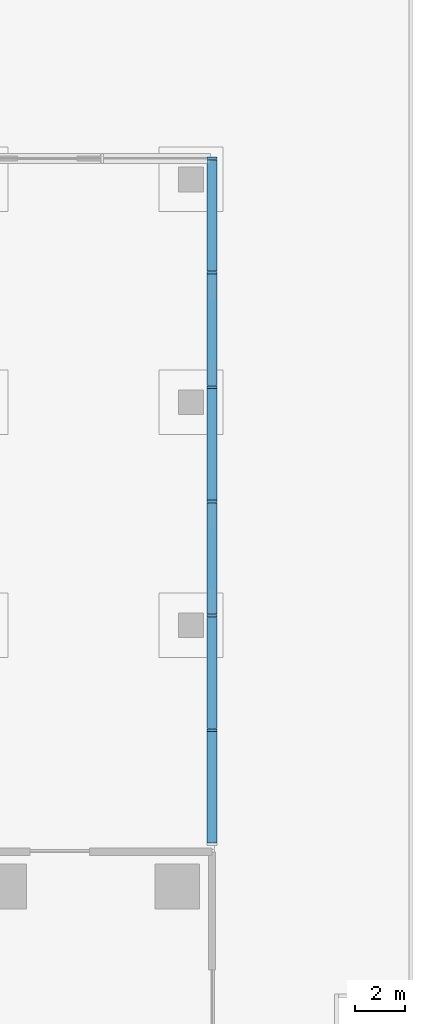
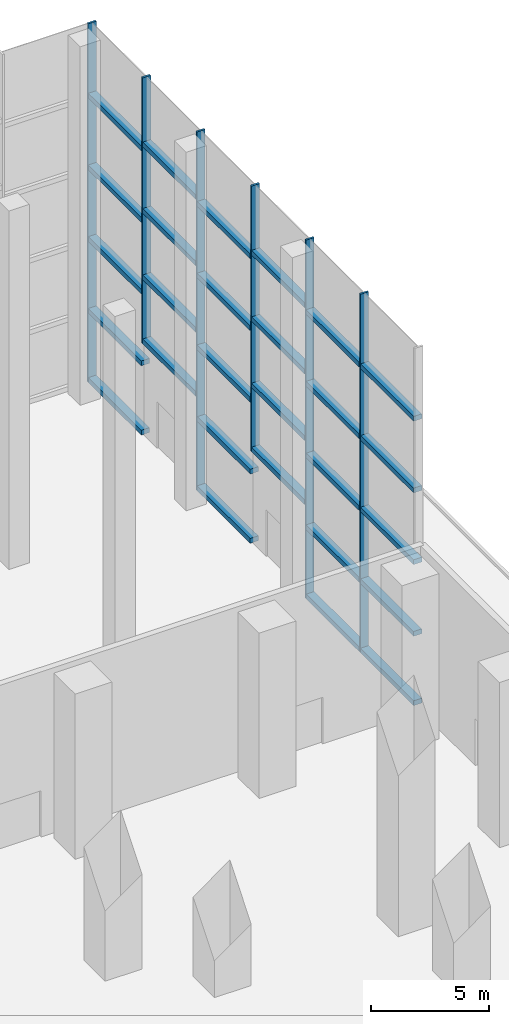
# One storey, part 20 of 40: 34 members, 5 elements without a shape of their own.
"""IFC4 building model written with IfcOpenShell, lengths in metres."""

from ifc_helpers import new_model, si_unit, direction, frame, origin, origin_2d, place, context, subcontext, project, spatial, rectangle, extrude, material, layer, layer_set, material_profile, profile_set, type_object, element, aggregate, save


model = new_model("IFC4")

# Units and contexts
model_context = context("Model", 3, precision=1e-05, world=origin(), true_north=direction((0.0, 1.0)))
body_context = subcontext(model_context, "Body", "Model", "MODEL_VIEW")
ifc_project = project(units=[si_unit("LENGTHUNIT", "METRE"), si_unit("AREAUNIT", "SQUARE_METRE"), si_unit("VOLUMEUNIT", "CUBIC_METRE"), si_unit("PLANEANGLEUNIT", "RADIAN"), si_unit("MASSUNIT", "GRAM", prefix="KILO")], contexts=[model_context])

# Site, building, storey
site_placement = place(None, origin())
site = spatial("IfcSite", under=ifc_project, at=site_placement, CompositionType="ELEMENT")
building_placement = place(site_placement, origin())
building = spatial("IfcBuilding", under=site, at=building_placement, Name="Dongbaek Canopy Tower", CompositionType="ELEMENT")
storey_placement = place(building_placement, origin())
storey = spatial("IfcBuildingStorey", under=building, at=storey_placement, Name="L00", CompositionType="ELEMENT", Elevation=0.0)

# Curtain wall, members
ifc_material_1 = material(Name="Aluminium 6063-T6 pale anodised", Category="aluminium")
ifc_layer = layer(ifc_material_1, 0.39990234375)
ifc_layer_set = layer_set([ifc_layer], Name="CW-3 lobby double-height curtain wall")
curtain_wall_type = type_object("IfcCurtainWallType", Name="CW-3 lobby double-height curtain wall", PredefinedType="NOTDEFINED", material=ifc_layer_set)
curtain_wall_1_placement = place(storey_placement, origin())
curtain_wall_1 = element("IfcCurtainWall", 1, at=curtain_wall_1_placement, inside=storey, type_object=curtain_wall_type, Name="CW-3 curtain wall HNE.1", PredefinedType="NOTDEFINED")
ifc_material_2 = material(Name="Aluminium 6063-T6 pale anodised", Category="aluminium")
ifc_material_profile_1 = material_profile(ifc_material_2, rectangle(XDim=0.39990234375, YDim=0.10009765625, at=origin_2d()), Name="CW-3 mullion 100 x 400")
ifc_profile_set_1 = profile_set([ifc_material_profile_1], Name="Aluminium 6063-T6 pale anodised")
member_type_1 = type_object("IfcMemberType", Name="CW-3 mullion 100 x 400", PredefinedType="MULLION", material=ifc_profile_set_1)
member_1_placement = place(storey_placement, frame((57.89990234375, 22.816650390625, 0.0), z_axis=(0.0, 0.0, 1.0), x_axis=(1.0, 0.0, 0.0)))
member_1 = element("IfcMember", 2, at=member_1_placement, type_object=member_type_1, Name="CW-3 mullion HNE.1.2", PredefinedType="MULLION", context=body_context, shape_type="SweptSolid", body=[
    extrude(rectangle(XDim=0.39990234375, YDim=0.10009765625, at=origin_2d()), origin(), (0.0, 0.0, 1.0), 18.550048828125),
])
member_2_placement = place(storey_placement, frame((57.89990234375, 27.433349609375, 0.0), z_axis=(0.0, 0.0, 1.0), x_axis=(1.0, 0.0, 0.0)))
member_2 = element("IfcMember", 3, at=member_2_placement, type_object=member_type_1, Name="CW-3 mullion HNE.1.3", PredefinedType="MULLION", context=body_context, shape_type="SweptSolid", body=[
    extrude(rectangle(XDim=0.39990234375, YDim=0.10009765625, at=origin_2d()), origin(), (0.0, 0.0, 1.0), 18.550048828125),
])

# Curtain wall, member
curtain_wall_2_placement = place(storey_placement, origin())
curtain_wall_2 = element("IfcCurtainWall", 4, at=curtain_wall_2_placement, inside=storey, type_object=curtain_wall_type, Name="CW-3 curtain wall HNE.3U", PredefinedType="NOTDEFINED")
member_3_placement = place(storey_placement, frame((57.89990234375, 32.050048828125, 4.800048828125), z_axis=(0.0, 0.0, 1.0), x_axis=(1.0, 0.0, 0.0)))
member_3 = element("IfcMember", 5, at=member_3_placement, type_object=member_type_1, Name="CW-3 mullion HNE.3U.2", PredefinedType="MULLION", context=body_context, shape_type="SweptSolid", body=[
    extrude(rectangle(XDim=0.39990234375, YDim=0.10009765625, at=origin_2d()), origin(), (0.0, 0.0, 1.0), 13.75),
])

curtain_wall_3_placement = place(storey_placement, origin())
curtain_wall_3 = element("IfcCurtainWall", 6, at=curtain_wall_3_placement, inside=storey, type_object=curtain_wall_type, Name="CW-3 curtain wall HNE.2", PredefinedType="NOTDEFINED")
member_4_placement = place(storey_placement, frame((57.89990234375, 36.666748046875, 0.0), z_axis=(0.0, 0.0, 1.0), x_axis=(1.0, 0.0, 0.0)))
member_4 = element("IfcMember", 7, at=member_4_placement, type_object=member_type_1, Name="CW-3 mullion HNE.2.2", PredefinedType="MULLION", context=body_context, shape_type="SweptSolid", body=[
    extrude(rectangle(XDim=0.39990234375, YDim=0.10009765625, at=origin_2d()), origin(), (0.0, 0.0, 1.0), 18.550048828125),
])

curtain_wall_4_placement = place(storey_placement, origin())
curtain_wall_4 = element("IfcCurtainWall", 8, at=curtain_wall_4_placement, inside=storey, type_object=curtain_wall_type, Name="CW-3 curtain wall HNE.5U", PredefinedType="NOTDEFINED")
member_5_placement = place(storey_placement, frame((57.89990234375, 41.283447265625, 4.800048828125), z_axis=(0.0, 0.0, 1.0), x_axis=(1.0, 0.0, 0.0)))
member_5 = element("IfcMember", 9, at=member_5_placement, type_object=member_type_1, Name="CW-3 mullion HNE.5U.2", PredefinedType="MULLION", context=body_context, shape_type="SweptSolid", body=[
    extrude(rectangle(XDim=0.39990234375, YDim=0.10009765625, at=origin_2d()), origin(), (0.0, 0.0, 1.0), 13.75),
])

curtain_wall_5_placement = place(storey_placement, origin())
curtain_wall_5 = element("IfcCurtainWall", 10, at=curtain_wall_5_placement, inside=storey, type_object=curtain_wall_type, Name="CW-3 curtain wall HNE.3", PredefinedType="NOTDEFINED")
member_6_placement = place(storey_placement, frame((57.89990234375, 45.89990234375, 0.0), z_axis=(0.0, 0.0, 1.0), x_axis=(1.0, 0.0, 0.0)))
member_6 = element("IfcMember", 11, at=member_6_placement, type_object=member_type_1, Name="CW-3 mullion HNE.3.2", PredefinedType="MULLION", context=body_context, shape_type="SweptSolid", body=[
    extrude(rectangle(XDim=0.39990234375, YDim=0.10009765625, at=origin_2d()), origin(), (0.0, 0.0, 1.0), 18.550048828125),
])

# Member
ifc_material_3 = material(Name="Aluminium 6063-T6 pale anodised", Category="aluminium")
ifc_material_profile_2 = material_profile(ifc_material_3, rectangle(XDim=0.39990234375, YDim=0.25, at=origin_2d()), Name="CW-3 transom 250 x 400")
ifc_profile_set_2 = profile_set([ifc_material_profile_2], Name="Aluminium 6063-T6 pale anodised")
member_type_2 = type_object("IfcMemberType", Name="CW-3 transom 250 x 400", PredefinedType="USERDEFINED", material=ifc_profile_set_2)
member_7_placement = place(storey_placement, frame((57.89990234375, 18.261962890625, 0.125), z_axis=(0.0, 1.0, 0.0), x_axis=(-1.0, 0.0, 0.0)))
member_7 = element("IfcMember", 12, at=member_7_placement, type_object=member_type_2, Name="CW-3 transom HNE.1.1.1", ObjectType="TRANSOM", PredefinedType="USERDEFINED", context=body_context, shape_type="SweptSolid", body=[
    extrude(rectangle(XDim=0.39990234375, YDim=0.25, at=origin_2d()), origin(), (0.0, 0.0, 1.0), 4.49267578125),
])

member_8_placement = place(storey_placement, frame((57.89990234375, 18.261962890625, 3.7099609375), z_axis=(0.0, 1.0, 0.0), x_axis=(-1.0, 0.0, 0.0)))
member_8 = element("IfcMember", 13, at=member_8_placement, type_object=member_type_2, Name="CW-3 transom HNE.1.1.2", ObjectType="TRANSOM", PredefinedType="USERDEFINED", context=body_context, shape_type="SweptSolid", body=[
    extrude(rectangle(XDim=0.39990234375, YDim=0.25, at=origin_2d()), origin(), (0.0, 0.0, 1.0), 4.49267578125),
])

member_9_placement = place(storey_placement, frame((57.89990234375, 18.261962890625, 7.419921875), z_axis=(0.0, 1.0, 0.0), x_axis=(-1.0, 0.0, 0.0)))
member_9 = element("IfcMember", 14, at=member_9_placement, type_object=member_type_2, Name="CW-3 transom HNE.1.1.3", ObjectType="TRANSOM", PredefinedType="USERDEFINED", context=body_context, shape_type="SweptSolid", body=[
    extrude(rectangle(XDim=0.39990234375, YDim=0.25, at=origin_2d()), origin(), (0.0, 0.0, 1.0), 4.49267578125),
])

member_10_placement = place(storey_placement, frame((57.89990234375, 18.261962890625, 11.1298828125), z_axis=(0.0, 1.0, 0.0), x_axis=(-1.0, 0.0, 0.0)))
member_10 = element("IfcMember", 15, at=member_10_placement, type_object=member_type_2, Name="CW-3 transom HNE.1.1.4", ObjectType="TRANSOM", PredefinedType="USERDEFINED", context=body_context, shape_type="SweptSolid", body=[
    extrude(rectangle(XDim=0.39990234375, YDim=0.25, at=origin_2d()), origin(), (0.0, 0.0, 1.0), 4.49267578125),
])

member_11_placement = place(storey_placement, frame((57.89990234375, 18.261962890625, 14.840087890625), z_axis=(0.0, 1.0, 0.0), x_axis=(-1.0, 0.0, 0.0)))
member_11 = element("IfcMember", 16, at=member_11_placement, type_object=member_type_2, Name="CW-3 transom HNE.1.1.5", ObjectType="TRANSOM", PredefinedType="USERDEFINED", context=body_context, shape_type="SweptSolid", body=[
    extrude(rectangle(XDim=0.39990234375, YDim=0.25, at=origin_2d()), origin(), (0.0, 0.0, 1.0), 4.49267578125),
])

member_12_placement = place(storey_placement, frame((57.89990234375, 22.878662109375, 0.125), z_axis=(0.0, 1.0, 0.0), x_axis=(-1.0, 0.0, 0.0)))
member_12 = element("IfcMember", 17, at=member_12_placement, type_object=member_type_2, Name="CW-3 transom HNE.1.2.1", ObjectType="TRANSOM", PredefinedType="USERDEFINED", context=body_context, shape_type="SweptSolid", body=[
    extrude(rectangle(XDim=0.39990234375, YDim=0.25, at=origin_2d()), origin(), (0.0, 0.0, 1.0), 4.49267578125),
])

member_13_placement = place(storey_placement, frame((57.89990234375, 22.878662109375, 3.7099609375), z_axis=(0.0, 1.0, 0.0), x_axis=(-1.0, 0.0, 0.0)))
member_13 = element("IfcMember", 18, at=member_13_placement, type_object=member_type_2, Name="CW-3 transom HNE.1.2.2", ObjectType="TRANSOM", PredefinedType="USERDEFINED", context=body_context, shape_type="SweptSolid", body=[
    extrude(rectangle(XDim=0.39990234375, YDim=0.25, at=origin_2d()), origin(), (0.0, 0.0, 1.0), 4.49267578125),
])

member_14_placement = place(storey_placement, frame((57.89990234375, 22.878662109375, 7.419921875), z_axis=(0.0, 1.0, 0.0), x_axis=(-1.0, 0.0, 0.0)))
member_14 = element("IfcMember", 19, at=member_14_placement, type_object=member_type_2, Name="CW-3 transom HNE.1.2.3", ObjectType="TRANSOM", PredefinedType="USERDEFINED", context=body_context, shape_type="SweptSolid", body=[
    extrude(rectangle(XDim=0.39990234375, YDim=0.25, at=origin_2d()), origin(), (0.0, 0.0, 1.0), 4.49267578125),
])

member_15_placement = place(storey_placement, frame((57.89990234375, 22.878662109375, 11.1298828125), z_axis=(0.0, 1.0, 0.0), x_axis=(-1.0, 0.0, 0.0)))
member_15 = element("IfcMember", 20, at=member_15_placement, type_object=member_type_2, Name="CW-3 transom HNE.1.2.4", ObjectType="TRANSOM", PredefinedType="USERDEFINED", context=body_context, shape_type="SweptSolid", body=[
    extrude(rectangle(XDim=0.39990234375, YDim=0.25, at=origin_2d()), origin(), (0.0, 0.0, 1.0), 4.49267578125),
])

member_16_placement = place(storey_placement, frame((57.89990234375, 22.878662109375, 14.840087890625), z_axis=(0.0, 1.0, 0.0), x_axis=(-1.0, 0.0, 0.0)))
member_16 = element("IfcMember", 21, at=member_16_placement, type_object=member_type_2, Name="CW-3 transom HNE.1.2.5", ObjectType="TRANSOM", PredefinedType="USERDEFINED", context=body_context, shape_type="SweptSolid", body=[
    extrude(rectangle(XDim=0.39990234375, YDim=0.25, at=origin_2d()), origin(), (0.0, 0.0, 1.0), 4.49267578125),
])

aggregate(curtain_wall_1, [member_1, member_2, member_7, member_8, member_9, member_10, member_11, member_12, member_13, member_14, member_15, member_16])

member_17_placement = place(storey_placement, frame((57.89990234375, 27.495361328125, 4.925048828125), z_axis=(0.0, 1.0, 0.0), x_axis=(-1.0, 0.0, 0.0)))
member_17 = element("IfcMember", 22, at=member_17_placement, type_object=member_type_2, Name="CW-3 transom HNE.3U.1.1", ObjectType="TRANSOM", PredefinedType="USERDEFINED", context=body_context, shape_type="SweptSolid", body=[
    extrude(rectangle(XDim=0.39990234375, YDim=0.25, at=origin_2d()), origin(), (0.0, 0.0, 1.0), 4.49267578125),
])

member_18_placement = place(storey_placement, frame((57.89990234375, 27.495361328125, 8.237548828125), z_axis=(0.0, 1.0, 0.0), x_axis=(-1.0, 0.0, 0.0)))
member_18 = element("IfcMember", 23, at=member_18_placement, type_object=member_type_2, Name="CW-3 transom HNE.3U.1.2", ObjectType="TRANSOM", PredefinedType="USERDEFINED", context=body_context, shape_type="SweptSolid", body=[
    extrude(rectangle(XDim=0.39990234375, YDim=0.25, at=origin_2d()), origin(), (0.0, 0.0, 1.0), 4.49267578125),
])

member_19_placement = place(storey_placement, frame((57.89990234375, 27.495361328125, 11.675048828125), z_axis=(0.0, 1.0, 0.0), x_axis=(-1.0, 0.0, 0.0)))
member_19 = element("IfcMember", 24, at=member_19_placement, type_object=member_type_2, Name="CW-3 transom HNE.3U.1.3", ObjectType="TRANSOM", PredefinedType="USERDEFINED", context=body_context, shape_type="SweptSolid", body=[
    extrude(rectangle(XDim=0.39990234375, YDim=0.25, at=origin_2d()), origin(), (0.0, 0.0, 1.0), 4.49267578125),
])

member_20_placement = place(storey_placement, frame((57.89990234375, 27.495361328125, 15.112548828125), z_axis=(0.0, 1.0, 0.0), x_axis=(-1.0, 0.0, 0.0)))
member_20 = element("IfcMember", 25, at=member_20_placement, type_object=member_type_2, Name="CW-3 transom HNE.3U.1.4", ObjectType="TRANSOM", PredefinedType="USERDEFINED", context=body_context, shape_type="SweptSolid", body=[
    extrude(rectangle(XDim=0.39990234375, YDim=0.25, at=origin_2d()), origin(), (0.0, 0.0, 1.0), 4.49267578125),
])

aggregate(curtain_wall_2, [member_3, member_17, member_18, member_19, member_20])

member_21_placement = place(storey_placement, frame((57.89990234375, 32.112060546875, 0.125), z_axis=(0.0, 1.0, 0.0), x_axis=(-1.0, 0.0, 0.0)))
member_21 = element("IfcMember", 26, at=member_21_placement, type_object=member_type_2, Name="CW-3 transom HNE.2.1.1", ObjectType="TRANSOM", PredefinedType="USERDEFINED", context=body_context, shape_type="SweptSolid", body=[
    extrude(rectangle(XDim=0.39990234375, YDim=0.25, at=origin_2d()), origin(), (0.0, 0.0, 1.0), 4.49267578125),
])

member_22_placement = place(storey_placement, frame((57.89990234375, 32.112060546875, 3.7099609375), z_axis=(0.0, 1.0, 0.0), x_axis=(-1.0, 0.0, 0.0)))
member_22 = element("IfcMember", 27, at=member_22_placement, type_object=member_type_2, Name="CW-3 transom HNE.2.1.2", ObjectType="TRANSOM", PredefinedType="USERDEFINED", context=body_context, shape_type="SweptSolid", body=[
    extrude(rectangle(XDim=0.39990234375, YDim=0.25, at=origin_2d()), origin(), (0.0, 0.0, 1.0), 4.49267578125),
])

member_23_placement = place(storey_placement, frame((57.89990234375, 32.112060546875, 7.419921875), z_axis=(0.0, 1.0, 0.0), x_axis=(-1.0, 0.0, 0.0)))
member_23 = element("IfcMember", 28, at=member_23_placement, type_object=member_type_2, Name="CW-3 transom HNE.2.1.3", ObjectType="TRANSOM", PredefinedType="USERDEFINED", context=body_context, shape_type="SweptSolid", body=[
    extrude(rectangle(XDim=0.39990234375, YDim=0.25, at=origin_2d()), origin(), (0.0, 0.0, 1.0), 4.49267578125),
])

member_24_placement = place(storey_placement, frame((57.89990234375, 32.112060546875, 11.1298828125), z_axis=(0.0, 1.0, 0.0), x_axis=(-1.0, 0.0, 0.0)))
member_24 = element("IfcMember", 29, at=member_24_placement, type_object=member_type_2, Name="CW-3 transom HNE.2.1.4", ObjectType="TRANSOM", PredefinedType="USERDEFINED", context=body_context, shape_type="SweptSolid", body=[
    extrude(rectangle(XDim=0.39990234375, YDim=0.25, at=origin_2d()), origin(), (0.0, 0.0, 1.0), 4.49267578125),
])

member_25_placement = place(storey_placement, frame((57.89990234375, 32.112060546875, 14.840087890625), z_axis=(0.0, 1.0, 0.0), x_axis=(-1.0, 0.0, 0.0)))
member_25 = element("IfcMember", 30, at=member_25_placement, type_object=member_type_2, Name="CW-3 transom HNE.2.1.5", ObjectType="TRANSOM", PredefinedType="USERDEFINED", context=body_context, shape_type="SweptSolid", body=[
    extrude(rectangle(XDim=0.39990234375, YDim=0.25, at=origin_2d()), origin(), (0.0, 0.0, 1.0), 4.49267578125),
])

aggregate(curtain_wall_3, [member_4, member_21, member_22, member_23, member_24, member_25])

member_26_placement = place(storey_placement, frame((57.89990234375, 36.728759765625, 4.925048828125), z_axis=(0.0, 1.0, 0.0), x_axis=(-1.0, 0.0, 0.0)))
member_26 = element("IfcMember", 31, at=member_26_placement, type_object=member_type_2, Name="CW-3 transom HNE.5U.1.1", ObjectType="TRANSOM", PredefinedType="USERDEFINED", context=body_context, shape_type="SweptSolid", body=[
    extrude(rectangle(XDim=0.39990234375, YDim=0.25, at=origin_2d()), origin(), (0.0, 0.0, 1.0), 4.49267578125),
])

member_27_placement = place(storey_placement, frame((57.89990234375, 36.728759765625, 8.237548828125), z_axis=(0.0, 1.0, 0.0), x_axis=(-1.0, 0.0, 0.0)))
member_27 = element("IfcMember", 32, at=member_27_placement, type_object=member_type_2, Name="CW-3 transom HNE.5U.1.2", ObjectType="TRANSOM", PredefinedType="USERDEFINED", context=body_context, shape_type="SweptSolid", body=[
    extrude(rectangle(XDim=0.39990234375, YDim=0.25, at=origin_2d()), origin(), (0.0, 0.0, 1.0), 4.49267578125),
])

member_28_placement = place(storey_placement, frame((57.89990234375, 36.728759765625, 11.675048828125), z_axis=(0.0, 1.0, 0.0), x_axis=(-1.0, 0.0, 0.0)))
member_28 = element("IfcMember", 33, at=member_28_placement, type_object=member_type_2, Name="CW-3 transom HNE.5U.1.3", ObjectType="TRANSOM", PredefinedType="USERDEFINED", context=body_context, shape_type="SweptSolid", body=[
    extrude(rectangle(XDim=0.39990234375, YDim=0.25, at=origin_2d()), origin(), (0.0, 0.0, 1.0), 4.49267578125),
])

member_29_placement = place(storey_placement, frame((57.89990234375, 36.728759765625, 15.112548828125), z_axis=(0.0, 1.0, 0.0), x_axis=(-1.0, 0.0, 0.0)))
member_29 = element("IfcMember", 34, at=member_29_placement, type_object=member_type_2, Name="CW-3 transom HNE.5U.1.4", ObjectType="TRANSOM", PredefinedType="USERDEFINED", context=body_context, shape_type="SweptSolid", body=[
    extrude(rectangle(XDim=0.39990234375, YDim=0.25, at=origin_2d()), origin(), (0.0, 0.0, 1.0), 4.49267578125),
])

aggregate(curtain_wall_4, [member_5, member_26, member_27, member_28, member_29])

member_30_placement = place(storey_placement, frame((57.89990234375, 41.34521484375, 0.125), z_axis=(0.0, 1.0, 0.0), x_axis=(-1.0, 0.0, 0.0)))
member_30 = element("IfcMember", 35, at=member_30_placement, type_object=member_type_2, Name="CW-3 transom HNE.3.1.1", ObjectType="TRANSOM", PredefinedType="USERDEFINED", context=body_context, shape_type="SweptSolid", body=[
    extrude(rectangle(XDim=0.39990234375, YDim=0.25, at=origin_2d()), origin(), (0.0, 0.0, 1.0), 4.49267578125),
])

member_31_placement = place(storey_placement, frame((57.89990234375, 41.34521484375, 3.7099609375), z_axis=(0.0, 1.0, 0.0), x_axis=(-1.0, 0.0, 0.0)))
member_31 = element("IfcMember", 36, at=member_31_placement, type_object=member_type_2, Name="CW-3 transom HNE.3.1.2", ObjectType="TRANSOM", PredefinedType="USERDEFINED", context=body_context, shape_type="SweptSolid", body=[
    extrude(rectangle(XDim=0.39990234375, YDim=0.25, at=origin_2d()), origin(), (0.0, 0.0, 1.0), 4.49267578125),
])

member_32_placement = place(storey_placement, frame((57.89990234375, 41.34521484375, 7.419921875), z_axis=(0.0, 1.0, 0.0), x_axis=(-1.0, 0.0, 0.0)))
member_32 = element("IfcMember", 37, at=member_32_placement, type_object=member_type_2, Name="CW-3 transom HNE.3.1.3", ObjectType="TRANSOM", PredefinedType="USERDEFINED", context=body_context, shape_type="SweptSolid", body=[
    extrude(rectangle(XDim=0.39990234375, YDim=0.25, at=origin_2d()), origin(), (0.0, 0.0, 1.0), 4.49267578125),
])

member_33_placement = place(storey_placement, frame((57.89990234375, 41.34521484375, 11.1298828125), z_axis=(0.0, 1.0, 0.0), x_axis=(-1.0, 0.0, 0.0)))
member_33 = element("IfcMember", 38, at=member_33_placement, type_object=member_type_2, Name="CW-3 transom HNE.3.1.4", ObjectType="TRANSOM", PredefinedType="USERDEFINED", context=body_context, shape_type="SweptSolid", body=[
    extrude(rectangle(XDim=0.39990234375, YDim=0.25, at=origin_2d()), origin(), (0.0, 0.0, 1.0), 4.49267578125),
])

member_34_placement = place(storey_placement, frame((57.89990234375, 41.34521484375, 14.840087890625), z_axis=(0.0, 1.0, 0.0), x_axis=(-1.0, 0.0, 0.0)))
member_34 = element("IfcMember", 39, at=member_34_placement, type_object=member_type_2, Name="CW-3 transom HNE.3.1.5", ObjectType="TRANSOM", PredefinedType="USERDEFINED", context=body_context, shape_type="SweptSolid", body=[
    extrude(rectangle(XDim=0.39990234375, YDim=0.25, at=origin_2d()), origin(), (0.0, 0.0, 1.0), 4.49267578125),
])

aggregate(curtain_wall_5, [member_6, member_30, member_31, member_32, member_33, member_34])

save(model, "model.ifc")
